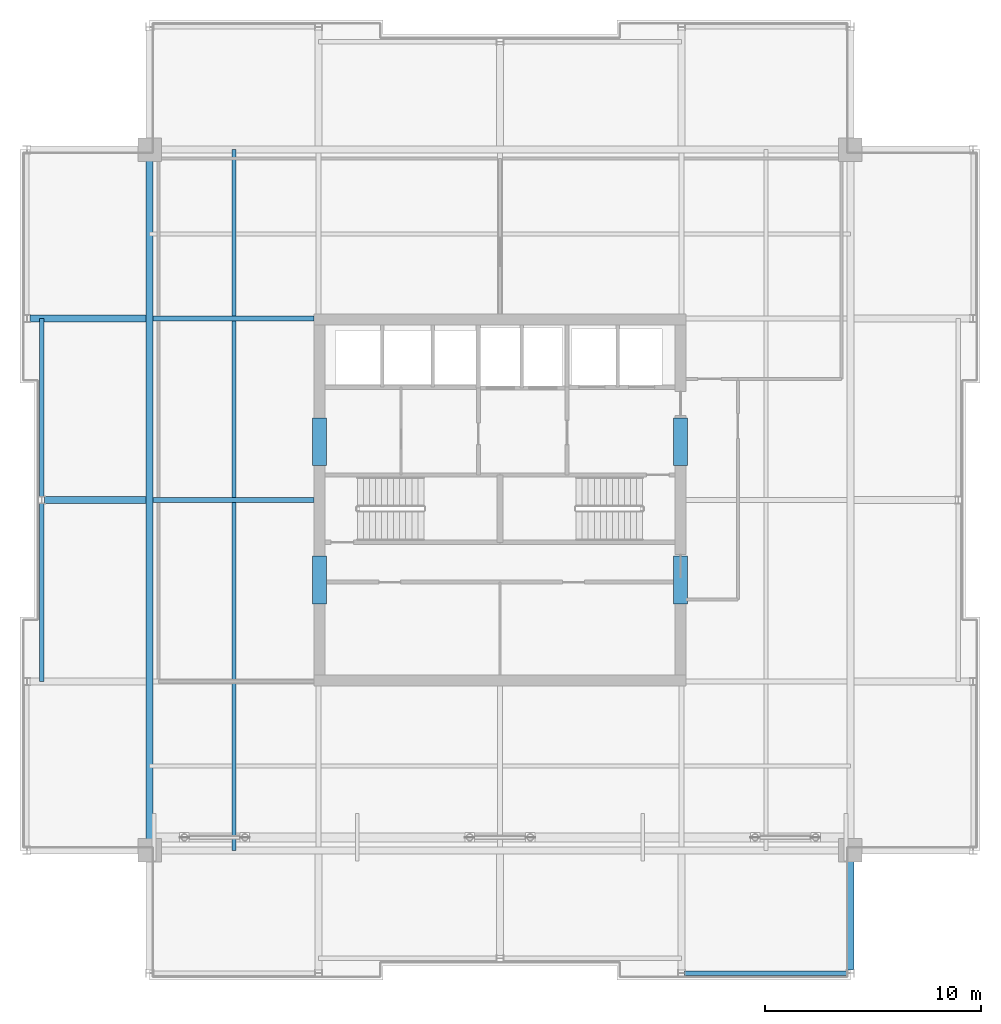
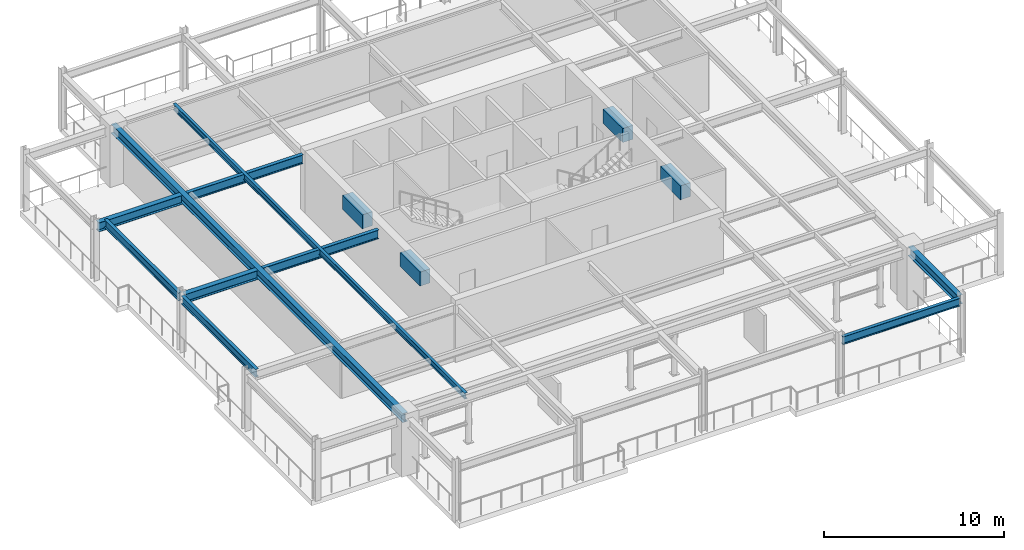
# One storey, part 5 of 13: 14 beams.
"""IFC4 building model written with IfcOpenShell, lengths in metres."""

from ifc_helpers import new_model, si_unit, direction, frame, origin, origin_2d, place, context, subcontext, project, spatial, rectangle, i_section, extrude, material, material_profile, profile_set, type_object, element, save


model = new_model("IFC4")

# Units and contexts
model_context = context("Model", 3, precision=1e-05, world=origin(), true_north=direction((0.0, 1.0)))
body_context = subcontext(model_context, "Body", "Model", "MODEL_VIEW")
ifc_project = project(units=[si_unit("LENGTHUNIT", "METRE"), si_unit("AREAUNIT", "SQUARE_METRE"), si_unit("VOLUMEUNIT", "CUBIC_METRE"), si_unit("PLANEANGLEUNIT", "RADIAN"), si_unit("MASSUNIT", "GRAM", prefix="KILO")], contexts=[model_context])

# Site, building, storey
site_placement = place(None, origin())
site = spatial("IfcSite", under=ifc_project, at=site_placement, CompositionType="ELEMENT")
building_placement = place(site_placement, origin())
building = spatial("IfcBuilding", under=site, at=building_placement, Name="Drelvath Grand Hotel", CompositionType="ELEMENT")
storey_placement = place(building_placement, frame((0.0, 0.0, 303.0)))
storey = spatial("IfcBuildingStorey", under=building, at=storey_placement, Name="L79", CompositionType="ELEMENT", Elevation=303.0)

# Beams
ifc_material_1 = material(Name="Steel ASTM A992 Gr 50", Category="steel")
ifc_material_profile_1 = material_profile(ifc_material_1, i_section(OverallWidth=0.177734375, OverallDepth=0.40673828125, WebThickness=0.0078125, FlangeThickness=0.0126953125, FilletRadius=0.014892578125, at=origin_2d()), Name="W16X40")
ifc_profile_set_1 = profile_set([ifc_material_profile_1], Name="Steel ASTM A992 Gr 50")
beam_type_1 = type_object("IfcBeamType", Name="Composite Floor Joist W16X40", PredefinedType="JOIST", material=ifc_profile_set_1)
beam_1_placement = place(storey_placement, frame((-12.300048828125, 10.800048828125, 3.646728515625), z_axis=(0.0, 1.0, 0.0), x_axis=(-1.0, 0.0, 0.0)))
element("IfcBeam", 1, at=beam_1_placement, inside=storey, type_object=beam_type_1, Name="L79 Wing Floor Joist J3", PredefinedType="JOIST", context=body_context, shape_type="SweptSolid", body=[
    extrude(i_section(OverallWidth=0.177734375, OverallDepth=0.40673828125, WebThickness=0.0078125, FlangeThickness=0.0126953125, FilletRadius=0.014892578125, at=origin_2d()), origin(), (0.0, 0.0, 1.0), 32.39990234375),
])
ifc_material_2 = material(Name="Concrete f'c 55 MPa", Category="concrete")
ifc_material_profile_2 = material_profile(ifc_material_2, rectangle(XDim=0.64990234375, YDim=0.949951171875, at=origin_2d()), Name="CB650X950")
ifc_profile_set_2 = profile_set([ifc_material_profile_2], Name="Concrete f'c 55 MPa")
beam_type_2 = type_object("IfcBeamType", Name="Core Coupling Lintel CB650X950", PredefinedType="LINTEL", material=ifc_profile_set_2)
for number, where, z_axis, x_axis, name in (
    (2, (-8.35009765625, 22.199951171875, 3.375), (0.0, 1.0, 0.0), (-1.0, 0.0, 0.0), "L79 Core Coupling Lintel WS"),
    (3, (-8.35009765625, 28.60009765625, 3.375), (0.0, 1.0, 0.0), (-1.0, 0.0, 0.0), "L79 Core Coupling Lintel WN"),
    (4, (8.35009765625, 22.199951171875, 3.375), (0.0, 1.0, 0.0), (-1.0, 0.0, 0.0), "L79 Core Coupling Lintel ES"),
    (5, (8.35009765625, 28.60009765625, 3.375), (0.0, 1.0, 0.0), (-1.0, 0.0, 0.0), "L79 Core Coupling Lintel EN"),
):
    element("IfcBeam", number, at=place(storey_placement, frame(where, z_axis=z_axis, x_axis=x_axis)), inside=storey, type_object=beam_type_2, Name=name, PredefinedType="LINTEL", context=body_context, shape_type="SweptSolid", body=[
        extrude(rectangle(XDim=0.64990234375, YDim=0.949951171875, at=origin_2d()), origin(), (0.0, 0.0, 1.0), 2.199951171875),
    ])
ifc_material_profile_3 = material_profile(ifc_material_1, i_section(OverallWidth=0.210205078125, OverallDepth=0.53662109375, WebThickness=0.010986328125, FlangeThickness=0.017333984375, FilletRadius=0.01806640625, at=origin_2d()), Name="W21X68")
ifc_profile_set_3 = profile_set([ifc_material_profile_3], Name="Steel ASTM A992 Gr 50")
beam_type_3 = type_object("IfcBeamType", Name="Perimeter Spandrel Beam W21X68", PredefinedType="SPANDREL", material=ifc_profile_set_3)
for number, where, z_axis, x_axis, name in (
    (6, (-21.199951171875, 18.60009765625, 3.581787109375), (0.0, 1.0, 0.0), (-1.0, 0.0, 0.0), "L79 Spandrel West Mid S"),
    (7, (-21.199951171875, 27.139892578125, 3.581787109375), (0.0, 1.0, 0.0), (-1.0, 0.0, 0.0), "L79 Spandrel West Mid N"),
):
    element("IfcBeam", number, at=place(storey_placement, frame(where, z_axis=z_axis, x_axis=x_axis)), inside=storey, type_object=beam_type_3, Name=name, PredefinedType="SPANDREL", context=body_context, shape_type="SweptSolid", body=[
        extrude(i_section(OverallWidth=0.210205078125, OverallDepth=0.53662109375, WebThickness=0.010986328125, FlangeThickness=0.017333984375, FilletRadius=0.01806640625, at=origin_2d()), origin(), (0.0, 0.0, 1.0), 8.260009765625),
    ])
beam_2_placement = place(storey_placement, frame((8.5400390625, 5.1201171875, 3.581787109375), z_axis=(1.0, 0.0, 0.0), x_axis=(0.0, 1.0, 0.0)))
element("IfcBeam", 8, at=beam_2_placement, inside=storey, type_object=beam_type_3, Name="L79 Spandrel South E", PredefinedType="SPANDREL", context=body_context, shape_type="SweptSolid", body=[
    extrude(i_section(OverallWidth=0.210205078125, OverallDepth=0.53662109375, WebThickness=0.010986328125, FlangeThickness=0.017333984375, FilletRadius=0.01806640625, at=origin_2d()), origin(), (0.0, 0.0, 1.0), 7.52001953125),
])
ifc_material_profile_4 = material_profile(ifc_material_1, i_section(OverallWidth=0.323974609375, OverallDepth=0.611083984375, WebThickness=0.0126953125, FlangeThickness=0.01904296875, FilletRadius=0.02197265625, at=origin_2d()), Name="W24X104")
ifc_profile_set_4 = profile_set([ifc_material_profile_4], Name="Steel ASTM A992 Gr 50")
beam_type_4 = type_object("IfcBeamType", Name="Primary Floor Girder W24X104", PredefinedType="BEAM", material=ifc_profile_set_4)
beam_3_placement = place(storey_placement, frame((-16.199951171875, 10.800048828125, 3.54443359375), z_axis=(0.0, 1.0, 0.0), x_axis=(-1.0, 0.0, 0.0)))
element("IfcBeam", 9, at=beam_3_placement, inside=storey, type_object=beam_type_4, Name="L79 Mega Ring Girder West", PredefinedType="BEAM", context=body_context, shape_type="SweptSolid", body=[
    extrude(i_section(OverallWidth=0.323974609375, OverallDepth=0.611083984375, WebThickness=0.0126953125, FlangeThickness=0.01904296875, FilletRadius=0.02197265625, at=origin_2d()), origin(), (0.0, 0.0, 1.0), 32.39990234375),
])
beam_4_placement = place(storey_placement, frame((-21.06005859375, 27.0, 3.54443359375), z_axis=(1.0, 0.0, 0.0), x_axis=(0.0, 1.0, 0.0)))
element("IfcBeam", 10, at=beam_4_placement, inside=storey, type_object=beam_type_4, Name="L79 West Wing Girder E", PredefinedType="BEAM", context=body_context, shape_type="SweptSolid", body=[
    extrude(i_section(OverallWidth=0.323974609375, OverallDepth=0.611083984375, WebThickness=0.0126953125, FlangeThickness=0.01904296875, FilletRadius=0.02197265625, at=origin_2d()), origin(), (0.0, 0.0, 1.0), 4.697998046875),
])
beam_5_placement = place(storey_placement, frame((-21.739990234375, 35.39990234375, 3.54443359375), z_axis=(1.0, 0.0, 0.0), x_axis=(0.0, 1.0, 0.0)))
element("IfcBeam", 11, at=beam_5_placement, inside=storey, type_object=beam_type_4, Name="L79 West Wing Girder F", PredefinedType="BEAM", context=body_context, shape_type="SweptSolid", body=[
    extrude(i_section(OverallWidth=0.323974609375, OverallDepth=0.611083984375, WebThickness=0.0126953125, FlangeThickness=0.01904296875, FilletRadius=0.02197265625, at=origin_2d()), origin(), (0.0, 0.0, 1.0), 5.3779296875),
])
beam_6_placement = place(storey_placement, frame((16.199951171875, 5.260009765625, 3.54443359375), z_axis=(0.0, 1.0, 0.0), x_axis=(-1.0, 0.0, 0.0)))
element("IfcBeam", 12, at=beam_6_placement, inside=storey, type_object=beam_type_4, Name="L79 South Grid Girder 7", PredefinedType="BEAM", context=body_context, shape_type="SweptSolid", body=[
    extrude(i_section(OverallWidth=0.323974609375, OverallDepth=0.611083984375, WebThickness=0.0126953125, FlangeThickness=0.01904296875, FilletRadius=0.02197265625, at=origin_2d()), origin(), (0.0, 0.0, 1.0), 5.5400390625),
])
ifc_material_profile_5 = material_profile(ifc_material_1, i_section(OverallWidth=0.228271484375, OverallDepth=0.607666015625, WebThickness=0.01123046875, FlangeThickness=0.017333984375, FilletRadius=0.02001953125, at=origin_2d()), Name="W24X76")
ifc_profile_set_5 = profile_set([ifc_material_profile_5], Name="Steel ASTM A992 Gr 50")
beam_type_5 = type_object("IfcBeamType", Name="Primary Floor Girder W24X76", PredefinedType="BEAM", material=ifc_profile_set_5)
for number, where, z_axis, x_axis, name in (
    (13, (-16.0380859375, 27.0, 3.546142578125), (1.0, 0.0, 0.0), (0.0, 1.0, 0.0), "L79 West Core Tie E"),
    (14, (-16.0380859375, 35.39990234375, 3.546142578125), (1.0, 0.0, 0.0), (0.0, 1.0, 0.0), "L79 West Core Tie F"),
):
    element("IfcBeam", number, at=place(storey_placement, frame(where, z_axis=z_axis, x_axis=x_axis)), inside=storey, type_object=beam_type_5, Name=name, PredefinedType="BEAM", context=body_context, shape_type="SweptSolid", body=[
        extrude(i_section(OverallWidth=0.228271484375, OverallDepth=0.607666015625, WebThickness=0.01123046875, FlangeThickness=0.017333984375, FilletRadius=0.02001953125, at=origin_2d()), origin(), (0.0, 0.0, 1.0), 7.43798828125),
    ])

save(model, "model.ifc")
